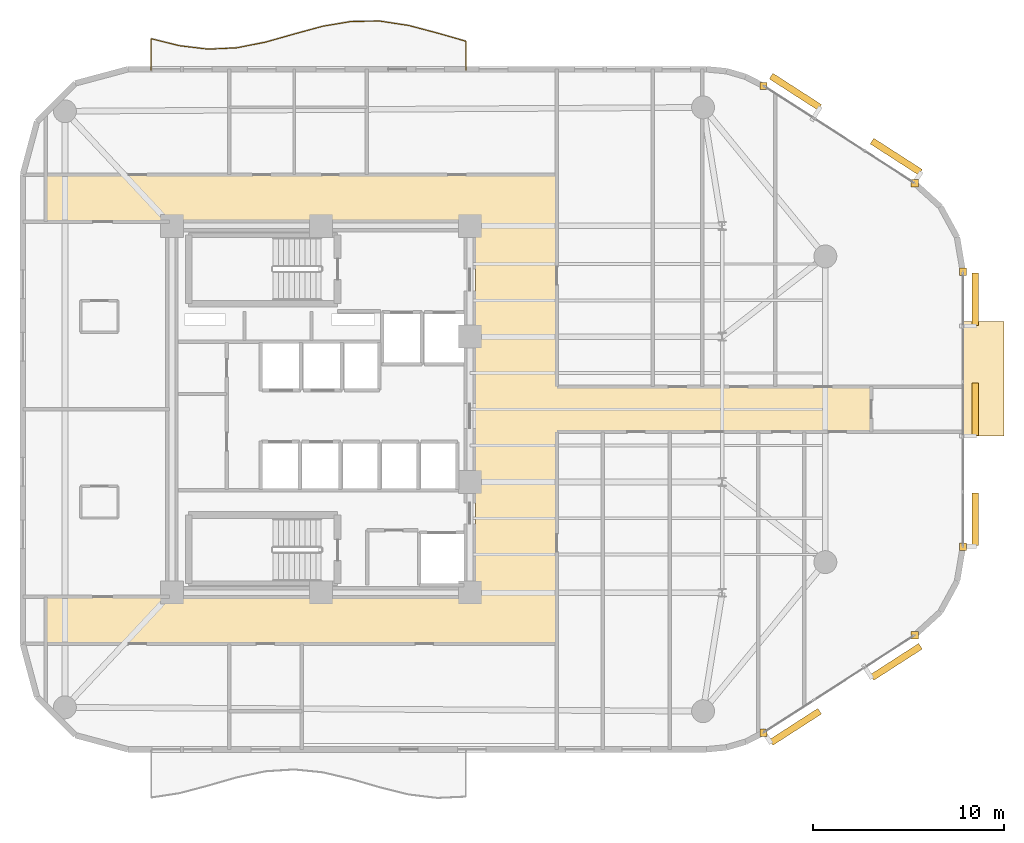
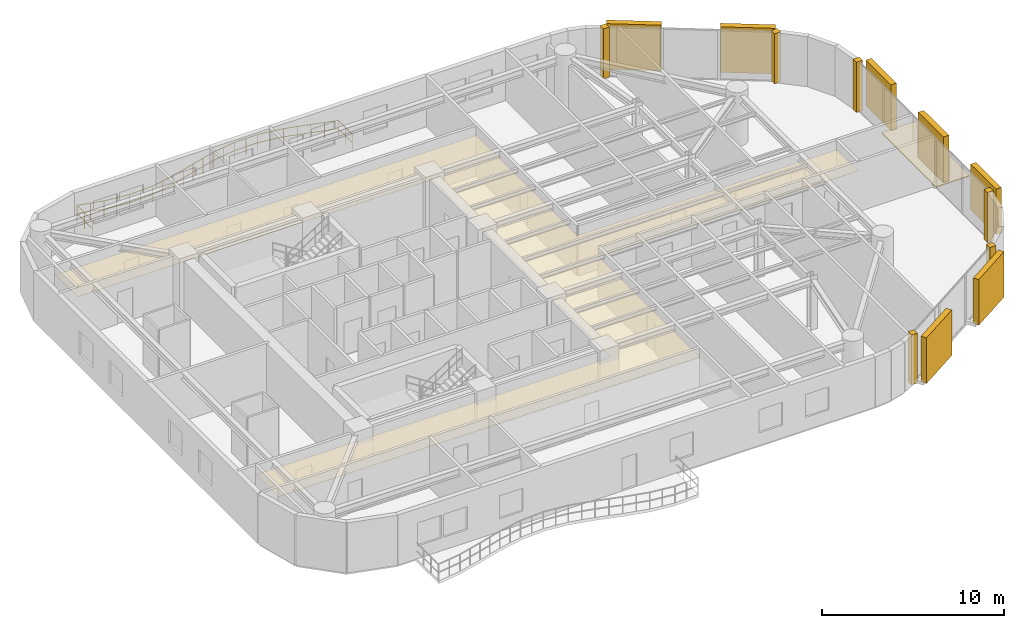
# One storey, part 15 of 15: 8 coverings, 7 shading devices, 1 railing.
"""IFC4 building model written with IfcOpenShell, lengths in metres."""

from ifc_helpers import new_model, si_unit, direction, frame, origin, origin_2d, place, context, subcontext, project, spatial, polyline, rectangle, circle, outline, extrude, material, layer, layer_set, type_object, element, save


model = new_model("IFC4")

# Units and contexts
model_context = context("Model", 3, precision=1e-05, world=origin(), true_north=direction((0.0, 1.0)))
body_context = subcontext(model_context, "Body", "Model", "MODEL_VIEW")
ifc_project = project(units=[si_unit("LENGTHUNIT", "METRE"), si_unit("AREAUNIT", "SQUARE_METRE"), si_unit("VOLUMEUNIT", "CUBIC_METRE"), si_unit("PLANEANGLEUNIT", "RADIAN"), si_unit("MASSUNIT", "GRAM", prefix="KILO")], contexts=[model_context])

# Site, building, storey
site_placement = place(None, origin())
site = spatial("IfcSite", under=ifc_project, at=site_placement, CompositionType="ELEMENT")
building_placement = place(site_placement, origin())
building = spatial("IfcBuilding", under=site, at=building_placement, Name="An Khanh Terracotta Commons", CompositionType="ELEMENT")
storey_placement = place(building_placement, frame((0.0, 0.0, 187.0)))
storey = spatial("IfcBuildingStorey", under=building, at=storey_placement, Name="L49", CompositionType="ELEMENT", Elevation=187.0)

# Coverings
ifc_material_1 = material(Name="Perforated Mineral-Fibre Acoustic Tile")
ifc_layer_1 = layer(ifc_material_1, 0.02001953125, Name="Perforated Mineral-Fibre Acoustic Tile")
ifc_layer_set_1 = layer_set([ifc_layer_1], Name="Perforated Mineral-Fibre Acoustic Tile")
covering_type_1 = type_object("IfcCoveringType", Name="CEIL-ACOUSTIC-18", PredefinedType="CEILING", material=ifc_layer_set_1)
covering_1_placement = place(storey_placement, frame((0.0, 0.0, 2.64990234375)))
element("IfcCovering", 1, at=covering_1_placement, inside=storey, type_object=covering_type_1, Name="L49 Corridor Ceiling", PredefinedType="CEILING", context=body_context, shape_type="SweptSolid", body=[
    extrude(outline(polyline([(15.0, 11.719970703125), (15.0, 14.179931640625), (37.5, 14.179931640625), (37.5, 33.820068359375), (15.0, 33.820068359375), (15.0, 36.280029296875), (37.5, 36.280029296875), (41.75, 36.280029296875), (41.75, 33.820068359375), (41.75, 25.179931640625), (58.199951171875, 25.179931640625), (58.199951171875, 22.820068359375), (41.75, 22.820068359375), (41.75, 14.179931640625), (41.75, 11.719970703125), (37.5, 11.719970703125), (15.0, 11.719970703125)])), origin(), (0.0, 0.0, 1.0), 0.02001953125),
])
ifc_material_2 = material(Name="Fired Terracotta Rainscreen Cladding", Category="masonry")
ifc_layer_2 = layer(ifc_material_2, 0.080078125, Name="Fired Terracotta Rainscreen Cladding")
ifc_layer_set_2 = layer_set([ifc_layer_2], Name="Fired Terracotta Rainscreen Cladding")
covering_type_2 = type_object("IfcCoveringType", Name="COV-JAMB-TERRA", PredefinedType="CLADDING", material=ifc_layer_set_2)
for number, where, z_axis, x_axis, name in (
    (2, (52.56005859375, 7.075927734375, 0.0), (0.0, 0.0, 1.0), (1.0, 0.0, 0.0), "L49 CW-03 Curtain-Wall Jamb Closure JA"),
    (3, (60.47802734375, 12.176025390625, 0.0), (0.0, 0.0, 1.0), (1.0, 0.0, 0.0), "L49 CW-03 Curtain-Wall Jamb Closure JB"),
    (4, (63.0, 16.800048828125, 0.0), (0.0, 0.0, 1.0), (1.0, 0.0, 0.0), "L49 CW-03 Curtain-Wall Jamb Closure JA"),
    (5, (63.0, 31.199951171875, 0.0), (0.0, 0.0, 1.0), (1.0, 0.0, 0.0), "L49 CW-03 Curtain-Wall Jamb Closure JB"),
    (6, (60.47802734375, 35.823974609375, 0.0), (0.0, 0.0, 1.0), (1.0, 0.0, 0.0), "L49 CW-03 Curtain-Wall Jamb Closure JA"),
    (7, (52.56005859375, 40.924072265625, 0.0), (0.0, 0.0, 1.0), (1.0, 0.0, 0.0), "L49 CW-03 Curtain-Wall Jamb Closure JB"),
):
    element("IfcCovering", number, at=place(storey_placement, frame(where, z_axis=z_axis, x_axis=x_axis)), inside=storey, type_object=covering_type_2, Name=name, PredefinedType="CLADDING", context=body_context, shape_type="SweptSolid", body=[
        extrude(rectangle(XDim=0.3798828125, YDim=0.3798828125, at=origin_2d()), origin(), (0.0, 0.0, 1.0), 3.360107421875),
    ])
ifc_material_3 = material(Name="Planted Garden Waterproofing Membrane")
ifc_layer_3 = layer(ifc_material_3, 0.080078125, Name="Planted Garden Waterproofing Membrane")
ifc_layer_set_3 = layer_set([ifc_layer_3], Name="Planted Garden Waterproofing Membrane")
covering_type_3 = type_object("IfcCoveringType", Name="COV-ROOFING-GREEN", PredefinedType="ROOFING", material=ifc_layer_set_3)
covering_2_placement = place(storey_placement, origin())
element("IfcCovering", 8, at=covering_2_placement, inside=storey, type_object=covering_type_3, Name="L49 Shifted Box Roof Waterproofing (L48)", PredefinedType="ROOFING", context=body_context, shape_type="SweptSolid", body=[
    extrude(outline(polyline([(63.0, 22.60009765625), (65.14990234375, 22.60009765625), (65.14990234375, 28.60009765625), (63.0, 28.60009765625), (63.0, 22.60009765625)])), origin(), (0.0, 0.0, 1.0), 0.06005859375),
])

# Railing
ifc_material_4 = material(Name="Brushed Stainless Steel 316", Category="steel")
railing_type = type_object("IfcRailingType", Name="RAIL-BALUSTRADE-1100", PredefinedType="BALUSTRADE", material=ifc_material_4)
railing_placement = place(storey_placement, frame((37.0, 41.739990234375, 0.0)))
element("IfcRailing", 9, at=railing_placement, inside=storey, type_object=railing_type, Name="L49 N Wave Balcony Guard Balustrade", PredefinedType="BALUSTRADE", context=body_context, shape_type="SweptSolid", body=[
    extrude(circle(Radius=0.02392578125, at=origin_2d()), frame((0.0, 0.0, 1.076171875), z_axis=(0.0, 1.0, 0.0), x_axis=(-1.0, 0.0, 0.0)), (0.0, 0.0, 1.0), 1.51806640625),
    extrude(circle(Radius=0.02392578125, at=origin_2d()), frame((0.0, 0.0, 0.52587890625), z_axis=(0.0, 1.0, 0.0), x_axis=(-1.0, 0.0, 0.0)), (0.0, 0.0, 1.0), 1.51806640625),
    extrude(circle(Radius=0.02392578125, at=origin_2d()), frame((0.0, 1.51806640625, 1.076171875), z_axis=(-0.961293347262, 0.275526950607, 0.0), x_axis=(-0.275526950607, -0.961293347262, 0.0)), (0.0, 0.0, 1.0), 1.560302734375),
    extrude(circle(Radius=0.02392578125, at=origin_2d()), frame((0.0, 1.51806640625, 0.52587890625), z_axis=(-0.961293347262, 0.275526950607, 0.0), x_axis=(-0.275526950607, -0.961293347262, 0.0)), (0.0, 0.0, 1.0), 1.560302734375),
    extrude(circle(Radius=0.02392578125, at=origin_2d()), frame((-1.5, 1.947998046875, 1.076171875), z_axis=(-0.966718963822, 0.255840663277, 0.0), x_axis=(-0.255840663277, -0.966718963822, 0.0)), (0.0, 0.0, 1.0), 1.5517578125),
    extrude(circle(Radius=0.02392578125, at=origin_2d()), frame((-1.5, 1.947998046875, 0.52587890625), z_axis=(-0.966718963822, 0.255840663277, 0.0), x_axis=(-0.255840663277, -0.966718963822, 0.0)), (0.0, 0.0, 1.0), 1.5517578125),
    extrude(circle(Radius=0.02392578125, at=origin_2d()), frame((-3.0, 2.344970703125, 1.076171875), z_axis=(-0.988545890906, 0.15092058035, 0.0), x_axis=(-0.15092058035, -0.988545890906, 0.0)), (0.0, 0.0, 1.0), 1.517333984375),
    extrude(circle(Radius=0.02392578125, at=origin_2d()), frame((-3.0, 2.344970703125, 0.52587890625), z_axis=(-0.988545890906, 0.15092058035, 0.0), x_axis=(-0.15092058035, -0.988545890906, 0.0)), (0.0, 0.0, 1.0), 1.517333984375),
    extrude(circle(Radius=0.02392578125, at=origin_2d()), frame((-4.5, 2.573974609375, 1.076171875), z_axis=(-0.999956968224, -0.009276944529, 0.0), x_axis=(0.009276944529, -0.999956968224, 0.0)), (0.0, 0.0, 1.0), 1.5),
    extrude(circle(Radius=0.02392578125, at=origin_2d()), frame((-4.5, 2.573974609375, 0.52587890625), z_axis=(-0.999956968224, -0.009276944529, 0.0), x_axis=(0.009276944529, -0.999956968224, 0.0)), (0.0, 0.0, 1.0), 1.5),
    extrude(circle(Radius=0.02392578125, at=origin_2d()), frame((-6.0, 2.56005859375, 1.076171875), z_axis=(-0.986079829755, -0.16627257546, 0.0), x_axis=(0.16627257546, -0.986079829755, 0.0)), (0.0, 0.0, 1.0), 1.521240234375),
    extrude(circle(Radius=0.02392578125, at=origin_2d()), frame((-6.0, 2.56005859375, 0.52587890625), z_axis=(-0.986079829755, -0.16627257546, 0.0), x_axis=(0.16627257546, -0.986079829755, 0.0)), (0.0, 0.0, 1.0), 1.521240234375),
    extrude(circle(Radius=0.02392578125, at=origin_2d()), frame((-7.5, 2.30712890625, 1.076171875), z_axis=(-0.964908643051, -0.262585815622, 0.0), x_axis=(0.262585815622, -0.964908643051, 0.0)), (0.0, 0.0, 1.0), 1.554443359375),
    extrude(circle(Radius=0.02392578125, at=origin_2d()), frame((-7.5, 2.30712890625, 0.52587890625), z_axis=(-0.964908643051, -0.262585815622, 0.0), x_axis=(0.262585815622, -0.964908643051, 0.0)), (0.0, 0.0, 1.0), 1.554443359375),
    extrude(circle(Radius=0.02392578125, at=origin_2d()), frame((-9.0, 1.89892578125, 1.076171875), z_axis=(-0.962323659406, -0.271906554806, 0.0), x_axis=(0.271906554806, -0.962323659406, 0.0)), (0.0, 0.0, 1.0), 1.558837890625),
    extrude(circle(Radius=0.02392578125, at=origin_2d()), frame((-9.0, 1.89892578125, 0.52587890625), z_axis=(-0.962323659406, -0.271906554806, 0.0), x_axis=(0.271906554806, -0.962323659406, 0.0)), (0.0, 0.0, 1.0), 1.558837890625),
    extrude(circle(Radius=0.02392578125, at=origin_2d()), frame((-10.5, 1.47509765625, 1.076171875), z_axis=(-0.980819402607, -0.194918699639, 0.0), x_axis=(0.194918699639, -0.980819402607, 0.0)), (0.0, 0.0, 1.0), 1.529296875),
    extrude(circle(Radius=0.02392578125, at=origin_2d()), frame((-10.5, 1.47509765625, 0.52587890625), z_axis=(-0.980819402607, -0.194918699639, 0.0), x_axis=(0.194918699639, -0.980819402607, 0.0)), (0.0, 0.0, 1.0), 1.529296875),
    extrude(circle(Radius=0.02392578125, at=origin_2d()), frame((-12.0, 1.177001953125, 1.076171875), z_axis=(-0.998880243389, -0.047310245903, 0.0), x_axis=(0.047310245903, -0.998880243389, 0.0)), (0.0, 0.0, 1.0), 1.501708984375),
    extrude(circle(Radius=0.02392578125, at=origin_2d()), frame((-12.0, 1.177001953125, 0.52587890625), z_axis=(-0.998880243389, -0.047310245903, 0.0), x_axis=(0.047310245903, -0.998880243389, 0.0)), (0.0, 0.0, 1.0), 1.501708984375),
    extrude(circle(Radius=0.02392578125, at=origin_2d()), frame((-13.5, 1.10595703125, 1.076171875), z_axis=(-0.99288219023, 0.11910061429, 0.0), x_axis=(-0.11910061429, -0.99288219023, 0.0)), (0.0, 0.0, 1.0), 1.5107421875),
    extrude(circle(Radius=0.02392578125, at=origin_2d()), frame((-13.5, 1.10595703125, 0.52587890625), z_axis=(-0.99288219023, 0.11910061429, 0.0), x_axis=(-0.11910061429, -0.99288219023, 0.0)), (0.0, 0.0, 1.0), 1.5107421875),
    extrude(circle(Radius=0.02392578125, at=origin_2d()), frame((-15.0, 1.285888671875, 1.076171875), z_axis=(-0.970881568768, 0.239559970419, 0.0), x_axis=(-0.239559970419, -0.970881568768, 0.0)), (0.0, 0.0, 1.0), 1.544921875),
    extrude(circle(Radius=0.02392578125, at=origin_2d()), frame((-15.0, 1.285888671875, 0.52587890625), z_axis=(-0.970881568768, 0.239559970419, 0.0), x_axis=(-0.239559970419, -0.970881568768, 0.0)), (0.0, 0.0, 1.0), 1.544921875),
    extrude(circle(Radius=0.02392578125, at=origin_2d()), frame((-16.5, 1.656005859375, 1.076171875), z_axis=(0.0, -1.0, 0.0), x_axis=(1.0, 0.0, 0.0)), (0.0, 0.0, 1.0), 1.656005859375),
    extrude(circle(Radius=0.02392578125, at=origin_2d()), frame((-16.5, 1.656005859375, 0.52587890625), z_axis=(0.0, -1.0, 0.0), x_axis=(1.0, 0.0, 0.0)), (0.0, 0.0, 1.0), 1.656005859375),
    extrude(circle(Radius=0.02099609375, at=origin_2d()), origin(), (0.0, 0.0, 1.0), 1.052001953125),
    extrude(circle(Radius=0.02099609375, at=origin_2d()), frame((0.0, 0.759033203125, 0.0)), (0.0, 0.0, 1.0), 1.052001953125),
    extrude(circle(Radius=0.02099609375, at=origin_2d()), frame((0.0, 1.51806640625, 0.0)), (0.0, 0.0, 1.0), 1.052001953125),
    extrude(circle(Radius=0.02099609375, at=origin_2d()), frame((-0.75, 1.73291015625, 0.0)), (0.0, 0.0, 1.0), 1.052001953125),
    extrude(circle(Radius=0.02099609375, at=origin_2d()), frame((-1.5, 1.947998046875, 0.0)), (0.0, 0.0, 1.0), 1.052001953125),
    extrude(circle(Radius=0.02099609375, at=origin_2d()), frame((-2.25, 2.146484375, 0.0)), (0.0, 0.0, 1.0), 1.052001953125),
    extrude(circle(Radius=0.02099609375, at=origin_2d()), frame((-3.0, 2.344970703125, 0.0)), (0.0, 0.0, 1.0), 1.052001953125),
    extrude(circle(Radius=0.02099609375, at=origin_2d()), frame((-3.75, 2.45947265625, 0.0)), (0.0, 0.0, 1.0), 1.052001953125),
    extrude(circle(Radius=0.02099609375, at=origin_2d()), frame((-4.5, 2.573974609375, 0.0)), (0.0, 0.0, 1.0), 1.052001953125),
    extrude(circle(Radius=0.02099609375, at=origin_2d()), frame((-5.25, 2.56689453125, 0.0)), (0.0, 0.0, 1.0), 1.052001953125),
    extrude(circle(Radius=0.02099609375, at=origin_2d()), frame((-6.0, 2.56005859375, 0.0)), (0.0, 0.0, 1.0), 1.052001953125),
    extrude(circle(Radius=0.02099609375, at=origin_2d()), frame((-6.75, 2.43359375, 0.0)), (0.0, 0.0, 1.0), 1.052001953125),
    extrude(circle(Radius=0.02099609375, at=origin_2d()), frame((-7.5, 2.30712890625, 0.0)), (0.0, 0.0, 1.0), 1.052001953125),
    extrude(circle(Radius=0.02099609375, at=origin_2d()), frame((-8.25, 2.10302734375, 0.0)), (0.0, 0.0, 1.0), 1.052001953125),
    extrude(circle(Radius=0.02099609375, at=origin_2d()), frame((-9.0, 1.89892578125, 0.0)), (0.0, 0.0, 1.0), 1.052001953125),
    extrude(circle(Radius=0.02099609375, at=origin_2d()), frame((-9.75, 1.68701171875, 0.0)), (0.0, 0.0, 1.0), 1.052001953125),
    extrude(circle(Radius=0.02099609375, at=origin_2d()), frame((-10.5, 1.47509765625, 0.0)), (0.0, 0.0, 1.0), 1.052001953125),
    extrude(circle(Radius=0.02099609375, at=origin_2d()), frame((-11.25, 1.326171875, 0.0)), (0.0, 0.0, 1.0), 1.052001953125),
    extrude(circle(Radius=0.02099609375, at=origin_2d()), frame((-12.0, 1.177001953125, 0.0)), (0.0, 0.0, 1.0), 1.052001953125),
    extrude(circle(Radius=0.02099609375, at=origin_2d()), frame((-12.75, 1.1416015625, 0.0)), (0.0, 0.0, 1.0), 1.052001953125),
    extrude(circle(Radius=0.02099609375, at=origin_2d()), frame((-13.5, 1.10595703125, 0.0)), (0.0, 0.0, 1.0), 1.052001953125),
    extrude(circle(Radius=0.02099609375, at=origin_2d()), frame((-14.25, 1.19580078125, 0.0)), (0.0, 0.0, 1.0), 1.052001953125),
    extrude(circle(Radius=0.02099609375, at=origin_2d()), frame((-15.0, 1.285888671875, 0.0)), (0.0, 0.0, 1.0), 1.052001953125),
    extrude(circle(Radius=0.02099609375, at=origin_2d()), frame((-15.75, 1.470947265625, 0.0)), (0.0, 0.0, 1.0), 1.052001953125),
    extrude(circle(Radius=0.02099609375, at=origin_2d()), frame((-16.5, 1.656005859375, 0.0)), (0.0, 0.0, 1.0), 1.052001953125),
    extrude(circle(Radius=0.02099609375, at=origin_2d()), frame((-16.5, 0.828125, 0.0)), (0.0, 0.0, 1.0), 1.052001953125),
    extrude(circle(Radius=0.02099609375, at=origin_2d()), frame((-16.5, 0.0, 0.0)), (0.0, 0.0, 1.0), 1.052001953125),
])

# Shading devices
ifc_material_5 = material(Name="Extruded Fired Terracotta", Category="masonry")
shading_device_type = type_object("IfcShadingDeviceType", Name="Terracotta Baguette Screen Assembly", PredefinedType="USERDEFINED", material=ifc_material_5)
for number, where, z_axis, x_axis, name in (
    (10, (54.23193359375, 7.3798828125, 0.14990234375), (0.0, 0.0, 1.0), (0.840702081986, 0.541497931062, 0.0), "L49 Terracotta Baguette Screen 1"),
    (11, (59.510009765625, 10.780029296875, 0.14990234375), (0.0, 0.0, 1.0), (0.840702081986, 0.541497931062, 0.0), "L49 Terracotta Baguette Screen 3"),
):
    element("IfcShadingDevice", number, at=place(storey_placement, frame(where, z_axis=z_axis, x_axis=x_axis)), inside=storey, type_object=shading_device_type, Name=name, ObjectType="BAGUETTE", PredefinedType="USERDEFINED", context=body_context, shape_type="SweptSolid", body=[
        extrude(rectangle(XDim=3.01904296875, YDim=0.35009765625, at=origin_2d()), origin(), (0.0, 0.0, 1.0), 3.06005859375),
    ])
for number, where, z_axis, x_axis, name in (
    (12, (63.64990234375, 18.239990234375, 0.14990234375), (0.0, 0.0, 1.0), (0.0, 1.0, 0.0), "L49 Terracotta Baguette Screen 1"),
    (13, (63.64990234375, 24.0, 0.14990234375), (0.0, 0.0, 1.0), (0.0, 1.0, 0.0), "L49 Terracotta Baguette Screen 3"),
    (14, (63.64990234375, 29.760009765625, 0.14990234375), (0.0, 0.0, 1.0), (0.0, 1.0, 0.0), "L49 Terracotta Baguette Screen 5"),
):
    element("IfcShadingDevice", number, at=place(storey_placement, frame(where, z_axis=z_axis, x_axis=x_axis)), inside=storey, type_object=shading_device_type, Name=name, ObjectType="BAGUETTE", PredefinedType="USERDEFINED", context=body_context, shape_type="SweptSolid", body=[
        extrude(rectangle(XDim=2.760009765625, YDim=0.35009765625, at=origin_2d()), origin(), (0.0, 0.0, 1.0), 3.06005859375),
    ])
for number, where, z_axis, x_axis, name in (
    (15, (59.510009765625, 37.219970703125, 0.14990234375), (0.0, 0.0, 1.0), (-0.840702081986, 0.541497931062, 0.0), "L49 Terracotta Baguette Screen 1"),
    (16, (54.23193359375, 40.6201171875, 0.14990234375), (0.0, 0.0, 1.0), (-0.840702081986, 0.541497931062, 0.0), "L49 Terracotta Baguette Screen 3"),
):
    element("IfcShadingDevice", number, at=place(storey_placement, frame(where, z_axis=z_axis, x_axis=x_axis)), inside=storey, type_object=shading_device_type, Name=name, ObjectType="BAGUETTE", PredefinedType="USERDEFINED", context=body_context, shape_type="SweptSolid", body=[
        extrude(rectangle(XDim=3.01904296875, YDim=0.35009765625, at=origin_2d()), origin(), (0.0, 0.0, 1.0), 3.06005859375),
    ])

save(model, "model.ifc")
